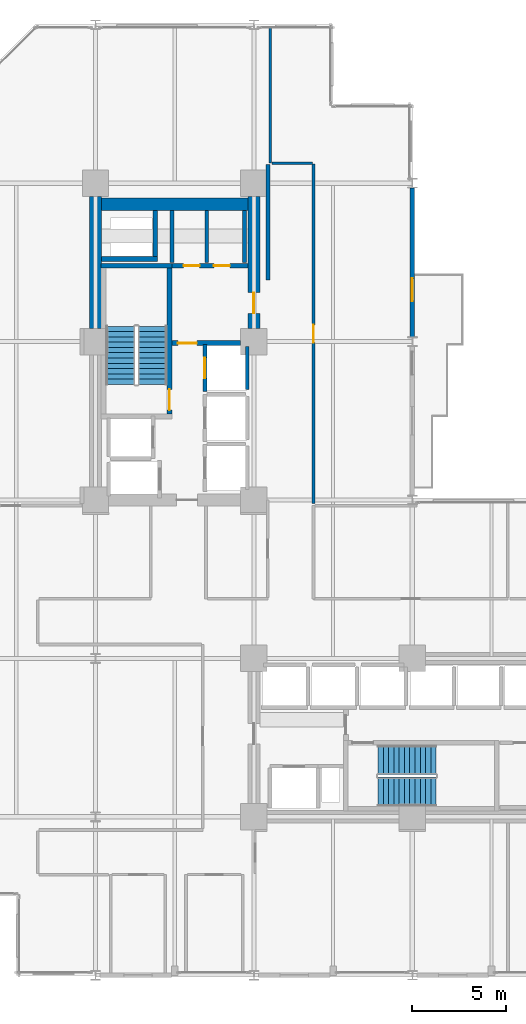
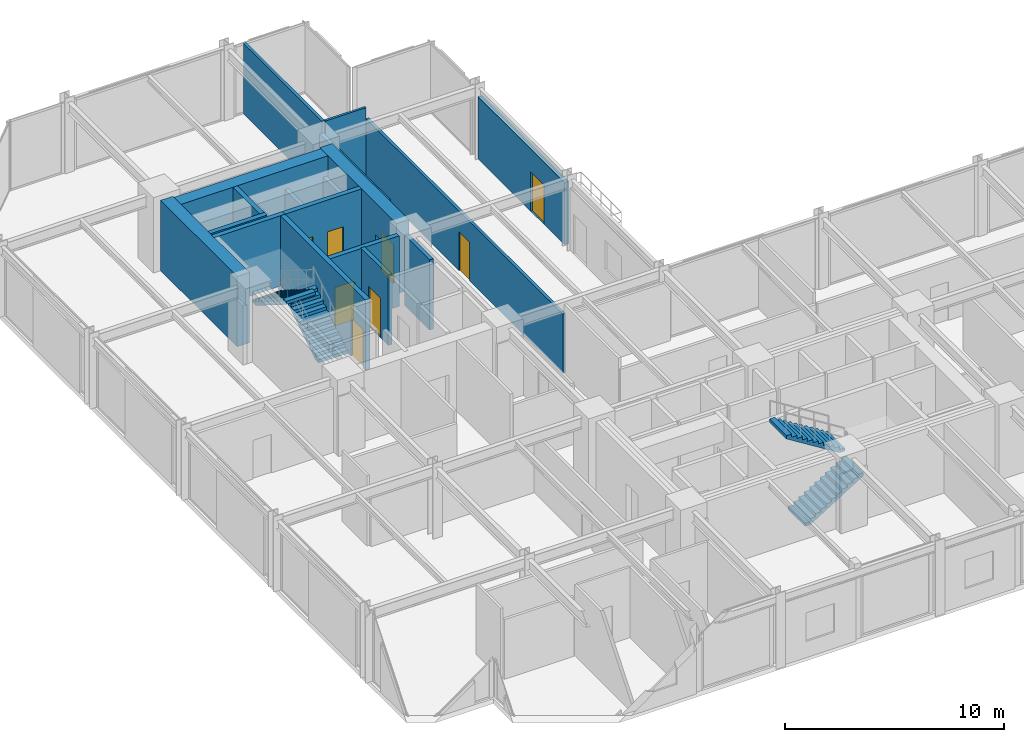
# One storey, part 21 of 24: 19 walls, 8 doors, 4 stair flights, 8 openings, 2 elements without a shape of their own.
"""IFC4 building model written with IfcOpenShell, lengths in metres."""

from ifc_helpers import new_model, si_unit, direction, frame, frame_2d, origin, place, context, subcontext, project, spatial, polyline, rectangle, outline, extrude, material, layer, layer_set, type_object, element, fill, aggregate, save


model = new_model("IFC4")

# Units and contexts
model_context = context("Model", 3, precision=1e-05, world=origin(), true_north=direction((0.0, 1.0)))
body_context = subcontext(model_context, "Body", "Model", "MODEL_VIEW")
ifc_project = project(units=[si_unit("LENGTHUNIT", "METRE"), si_unit("AREAUNIT", "SQUARE_METRE"), si_unit("VOLUMEUNIT", "CUBIC_METRE"), si_unit("PLANEANGLEUNIT", "RADIAN"), si_unit("MASSUNIT", "GRAM", prefix="KILO")], contexts=[model_context])

# Site, building, storey
site_placement = place(None, origin())
site = spatial("IfcSite", under=ifc_project, at=site_placement, CompositionType="ELEMENT")
building_placement = place(site_placement, origin())
building = spatial("IfcBuilding", under=site, at=building_placement, Name="Nerrivon Quay Data Exchange", CompositionType="ELEMENT")
storey_placement = place(building_placement, frame((0.0, 0.0, 37.39990234375)))
storey = spatial("IfcBuildingStorey", under=building, at=storey_placement, Name="L08", CompositionType="ELEMENT", Elevation=37.39990234375)

# Wall, opening, door
ifc_material_1 = material(Name="Architectural terracotta precast concrete N50 (50 MPa)", Category="masonry")
ifc_layer_1 = layer(ifc_material_1, 0.239990234375)
ifc_layer_set_1 = layer_set([ifc_layer_1], Name="Architectural terracotta precast concrete N50 (50 MPa)")
wall_type_1 = type_object("IfcWallType", Name="EW-PREC-240", PredefinedType="STANDARD", material=ifc_layer_set_1)
wall_1_placement = place(storey_placement, frame((25.199951171875, 41.75, 0.0), z_axis=(0.0, 0.0, 1.0), x_axis=(0.0, -1.0, 0.0)))
wall_1 = element("IfcWall", 1, at=wall_1_placement, inside=storey, type_object=wall_type_1, Name="L08 Terrace Host Wall 26", PredefinedType="STANDARD", context=body_context, shape_type="SweptSolid", body=[
    extrude(rectangle(XDim=7.89990234375, YDim=0.239990234375, at=frame_2d((3.949951171875, 0.0))), origin(), (0.0, 0.0, 1.0), 3.47119140625),
])
opening_1_placement = place(wall_1_placement, frame((4.800048828125, 0.0, 0.0)))
opening_1 = element("IfcOpeningElement", 2, at=opening_1_placement, cuts=wall_1, Name="Opening TD1", PredefinedType="OPENING", context=body_context, shape_type="SweptSolid", body=[
    extrude(rectangle(XDim=1.199951171875, YDim=2.199951171875, at=frame_2d((0.60009765625, 1.10009765625))), frame((0.0, 0.1298828125, 0.0), z_axis=(0.0, -1.0, 0.0), x_axis=(1.0, 0.0, 0.0)), (0.0, 0.0, 1.0), 0.260009765625),
])
ifc_material_2 = material(Name="Double-glazed low-E solar control glass", Category="glass")
door_type_1 = type_object("IfcDoorType", Name="DR-TERR-1200x2200", OperationType="NOTDEFINED", PredefinedType="DOOR", material=ifc_material_2)
door_1_placement = place(opening_1_placement, origin())
door_1 = element("IfcDoor", 3, at=door_1_placement, inside=storey, type_object=door_type_1, Name="L08 Outdoor Terrace Access Door 26", OperationType="SINGLE_SWING_LEFT", OverallHeight=2.199951171875, OverallWidth=1.199951171875, PredefinedType="DOOR", context=body_context, shape_type="SweptSolid", body=[
    extrude(rectangle(XDim=1.199951171875, YDim=2.199951171875, at=frame_2d((0.60009765625, 1.10009765625))), frame((0.0, 0.02490234375, 0.0), z_axis=(0.0, -1.0, 0.0), x_axis=(1.0, 0.0, 0.0)), (0.0, 0.0, 1.0), 0.050048828125),
])
fill(opening_1, door_1)

# Walls
ifc_material_3 = material(Name="Concrete N80 (80 MPa)", Category="concrete")
ifc_layer_2 = layer(ifc_material_3, 0.64990234375)
ifc_layer_set_2 = layer_set([ifc_layer_2], Name="Concrete N80 (80 MPa)")
wall_type_2 = type_object("IfcWallType", Name="WALL-CW-850", PredefinedType="SHEAR", material=ifc_layer_set_2)
wall_2_placement = place(storey_placement, frame((8.39990234375, 34.300048828125, 0.0), z_axis=(0.0, 0.0, 1.0), x_axis=(0.0, 1.0, 0.0)))
element("IfcWall", 4, at=wall_2_placement, inside=storey, type_object=wall_type_2, Name="L08 West Split-Core Shear Wall WCW-W2", PredefinedType="SHEAR", context=body_context, shape_type="SweptSolid", body=[
    extrude(rectangle(XDim=7.0, YDim=0.64990234375, at=frame_2d((3.5, 0.0))), origin(), (0.0, 0.0, 1.0), 3.925048828125),
])
wall_3_placement = place(storey_placement, frame((8.72509765625, 40.875, 0.0), z_axis=(0.0, 0.0, 1.0), x_axis=(1.0, 0.0, 0.0)))
element("IfcWall", 5, at=wall_3_placement, inside=storey, type_object=wall_type_2, Name="L08 West Split-Core Shear Wall WCW-N1", PredefinedType="SHEAR", context=body_context, shape_type="SweptSolid", body=[
    extrude(rectangle(XDim=7.75, YDim=0.64990234375, at=frame_2d((3.875, 0.0))), origin(), (0.0, 0.0, 1.0), 3.925048828125),
])

# Wall, opening, door
wall_4_placement = place(storey_placement, frame((16.800048828125, 34.300048828125, 0.0), z_axis=(0.0, 0.0, 1.0), x_axis=(0.0, 1.0, 0.0)))
wall_4 = element("IfcWall", 6, at=wall_4_placement, inside=storey, type_object=wall_type_2, Name="L08 West Split-Core Shear Wall WCW-E1", PredefinedType="SHEAR", context=body_context, shape_type="SweptSolid", body=[
    extrude(rectangle(XDim=7.0, YDim=0.64990234375, at=frame_2d((3.5, 0.0))), origin(), (0.0, 0.0, 1.0), 3.925048828125),
])
opening_2_placement = place(wall_4_placement, frame((0.800048828125, 0.0, 0.0)))
opening_2 = element("IfcOpeningElement", 7, at=opening_2_placement, cuts=wall_4, Name="Opening FD-120", PredefinedType="OPENING", context=body_context, shape_type="SweptSolid", body=[
    extrude(rectangle(XDim=1.10009765625, YDim=2.14990234375, at=frame_2d((0.550048828125, 1.074951171875))), frame((0.0, 0.3349609375, 0.0), z_axis=(0.0, -1.0, 0.0), x_axis=(1.0, 0.0, 0.0)), (0.0, 0.0, 1.0), 0.669921875),
])
ifc_material_4 = material(Name="Powder-coated galvanized steel sheet", Category="steel")
door_type_2 = type_object("IfcDoorType", Name="DR-FD120-1100", OperationType="NOTDEFINED", PredefinedType="DOOR", material=ifc_material_4)
door_2_placement = place(opening_2_placement, origin())
door_2 = element("IfcDoor", 8, at=door_2_placement, inside=storey, type_object=door_type_2, Name="L08 West Core Lobby Fire Door", OperationType="SINGLE_SWING_LEFT", OverallHeight=2.14990234375, OverallWidth=1.10009765625, PredefinedType="DOOR", context=body_context, shape_type="SweptSolid", body=[
    extrude(rectangle(XDim=1.10009765625, YDim=2.14990234375, at=frame_2d((0.550048828125, 1.074951171875))), frame((0.0, 0.02490234375, 0.0), z_axis=(0.0, -1.0, 0.0), x_axis=(1.0, 0.0, 0.0)), (0.0, 0.0, 1.0), 0.050048828125),
])
fill(opening_2, door_2)

ifc_material_5 = material(Name="Gypsum plasterboard on cold-formed framing", Category="gypsum")
ifc_layer_3 = layer(ifc_material_5, 0.199951171875)
ifc_layer_set_3 = layer_set([ifc_layer_3], Name="Gypsum plasterboard on cold-formed framing")
wall_type_3 = type_object("IfcWallType", Name="WALL-FW-200", PredefinedType="PARTITIONING", material=ifc_layer_set_3)
wall_5_placement = place(storey_placement, frame((14.199951171875, 30.949951171875, 0.0), z_axis=(0.0, 0.0, 1.0), x_axis=(0.0, 1.0, 0.0)))
wall_5 = element("IfcWall", 9, at=wall_5_placement, inside=storey, type_object=wall_type_3, Name="L08 Lift Front Wall PL3", PredefinedType="PARTITIONING", context=body_context, shape_type="SweptSolid", body=[
    extrude(rectangle(XDim=2.5, YDim=0.199951171875, at=frame_2d((1.25, 0.0))), origin(), (0.0, 0.0, 1.0), 3.925048828125),
])
opening_3_placement = place(wall_5_placement, frame((0.699951171875, 0.0, 0.0)))
opening_3 = element("IfcOpeningElement", 10, at=opening_3_placement, cuts=wall_5, Name="Opening LD-120", PredefinedType="OPENING", context=body_context, shape_type="SweptSolid", body=[
    extrude(rectangle(XDim=1.10009765625, YDim=2.199951171875, at=frame_2d((0.550048828125, 1.10009765625))), frame((0.0, 0.10986328125, 0.0), z_axis=(0.0, -1.0, 0.0), x_axis=(1.0, 0.0, 0.0)), (0.0, 0.0, 1.0), 0.219970703125),
])
door_type_3 = type_object("IfcDoorType", Name="DR-LIFT-LD120", OperationType="DOUBLE_DOOR_SLIDING", PredefinedType="DOOR", material=ifc_material_4)
door_3_placement = place(opening_3_placement, origin())
door_3 = element("IfcDoor", 11, at=door_3_placement, inside=storey, type_object=door_type_3, Name="L08 Lift Landing Sliding Door PL3", OperationType="DOUBLE_DOOR_SLIDING", OverallHeight=2.199951171875, OverallWidth=1.10009765625, PredefinedType="DOOR", context=body_context, shape_type="SweptSolid", body=[
    extrude(rectangle(XDim=1.10009765625, YDim=2.199951171875, at=frame_2d((0.550048828125, 1.10009765625))), frame((0.0, 0.02490234375, 0.0), z_axis=(0.0, -1.0, 0.0), x_axis=(1.0, 0.0, 0.0)), (0.0, 0.0, 1.0), 0.050048828125),
])
fill(opening_3, door_3)

# Walls
wall_6_placement = place(storey_placement, frame((16.449951171875, 31.050048828125, 0.0), z_axis=(0.0, 0.0, 1.0), x_axis=(0.0, 1.0, 0.0)))
element("IfcWall", 12, at=wall_6_placement, inside=storey, type_object=wall_type_3, Name="L08 Lift Shaft Wall PL3 EAST", PredefinedType="PARTITIONING", context=body_context, shape_type="SweptSolid", body=[
    extrude(rectangle(XDim=2.300048828125, YDim=0.199951171875, at=frame_2d((1.14990234375, 0.0))), origin(), (0.0, 0.0, 1.0), 3.925048828125),
])
for number, where, z_axis, x_axis, name in (
    (13, (14.300048828125, 37.780029296875, 0.0), (0.0, 0.0, 1.0), (0.0, 1.0, 0.0), "L08 Partition Cleaners Store"),
    (14, (12.449951171875, 40.5458984375, 0.0), (0.0, 0.0, 1.0), (0.0, -1.0, 0.0), "L08 Partition Cleaners Store"),
    (15, (16.300048828125, 37.780029296875, 0.0), (0.0, 0.0, 1.0), (0.0, 1.0, 0.0), "L08 Partition Janitor Closet"),
):
    element("IfcWall", number, at=place(storey_placement, frame(where, z_axis=z_axis, x_axis=x_axis)), inside=storey, type_object=wall_type_3, Name=name, PredefinedType="PARTITIONING", context=body_context, shape_type="SweptSolid", body=[
        extrude(rectangle(XDim=2.765869140625, YDim=0.199951171875, at=frame_2d((1.3828125, 0.0))), origin(), (0.0, 0.0, 1.0), 2.8251953125),
    ])
wall_7_placement = place(storey_placement, frame((17.5400390625, 36.860107421875, 0.0), z_axis=(0.0, 0.0, 1.0), x_axis=(0.0, 1.0, 0.0)))
element("IfcWall", 16, at=wall_7_placement, inside=storey, type_object=wall_type_3, Name="L08 Partition Colocation Data Workspace 1", PredefinedType="PARTITIONING", context=body_context, shape_type="SweptSolid", body=[
    extrude(rectangle(XDim=6.139892578125, YDim=0.199951171875, at=frame_2d((3.06982421875, 0.0))), origin(), (0.0, 0.0, 1.0), 3.31298828125),
])
ifc_layer_4 = layer(ifc_material_5, 0.1201171875)
ifc_layer_set_4 = layer_set([ifc_layer_4], Name="Gypsum plasterboard on cold-formed framing")
wall_type_4 = type_object("IfcWallType", Name="WALL-PT-120", PredefinedType="PARTITIONING", material=ifc_layer_set_4)
wall_8_placement = place(storey_placement, frame((17.7490234375, 43.06005859375, 0.0), z_axis=(0.0, 0.0, 1.0), x_axis=(1.0, 0.0, 0.0)))
element("IfcWall", 17, at=wall_8_placement, inside=storey, type_object=wall_type_4, Name="L08 Partition Technical Library", PredefinedType="PARTITIONING", context=body_context, shape_type="SweptSolid", body=[
    extrude(rectangle(XDim=2.15087890625, YDim=0.1201171875, at=frame_2d((1.075439453125, 0.0))), origin(), (0.0, 0.0, 1.0), 3.925048828125),
])

# Wall, opening, door
ifc_layer_5 = layer(ifc_material_5, 0.14990234375)
ifc_layer_set_5 = layer_set([ifc_layer_5], Name="Gypsum plasterboard on cold-formed framing")
wall_type_5 = type_object("IfcWallType", Name="WALL-PT-150", PredefinedType="PARTITIONING", material=ifc_layer_set_5)
wall_9_placement = place(storey_placement, frame((19.959716796875, 43.005859375, 0.0), z_axis=(0.0, 0.0, 1.0), x_axis=(1.3574599e-05, -0.999999999908, 0.0)))
wall_9 = element("IfcWall", 18, at=wall_9_placement, inside=storey, type_object=wall_type_5, Name="L08 Partition Technical Library", PredefinedType="PARTITIONING", context=body_context, shape_type="SweptSolid", body=[
    extrude(rectangle(XDim=17.985107421875, YDim=0.14990234375, at=frame_2d((8.99267578125, 0.0))), origin(), (0.0, 0.0, 1.0), 3.31298828125),
])
opening_4_placement = place(wall_9_placement, frame((8.517578125, 0.0, 0.0)))
opening_4 = element("IfcOpeningElement", 19, at=opening_4_placement, cuts=wall_9, Name="Opening D-01", PredefinedType="OPENING", context=body_context, shape_type="SweptSolid", body=[
    extrude(rectangle(XDim=0.949951171875, YDim=2.14990234375, at=frame_2d((0.47509765625, 1.074951171875))), frame((0.0, 0.0849609375, 0.0), z_axis=(0.0, -1.0, 0.0), x_axis=(1.0, 0.0, 0.0)), (0.0, 0.0, 1.0), 0.169921875),
])
ifc_material_6 = material(Name="Engineered hardwood timber", Category="wood")
door_type_4 = type_object("IfcDoorType", Name="DR-INT-950", OperationType="NOTDEFINED", PredefinedType="DOOR", material=ifc_material_6)
door_4_placement = place(opening_4_placement, origin())
door_4 = element("IfcDoor", 20, at=door_4_placement, inside=storey, type_object=door_type_4, Name="L08 Door Technical Library", OperationType="SINGLE_SWING_LEFT", OverallHeight=2.14990234375, OverallWidth=0.949951171875, PredefinedType="DOOR", context=body_context, shape_type="SweptSolid", body=[
    extrude(rectangle(XDim=0.949951171875, YDim=2.14990234375, at=frame_2d((0.47509765625, 1.074951171875))), frame((0.0, 0.02490234375, 0.0), z_axis=(0.0, -1.0, 0.0), x_axis=(1.0, 0.0, 0.0)), (0.0, 0.0, 1.0), 0.050048828125),
])
fill(opening_4, door_4)

# Walls
wall_10_placement = place(storey_placement, frame((17.669921875, 50.23095703125, 0.0), z_axis=(0.0, 0.0, 1.0), x_axis=(0.0, -1.0, 0.0)))
element("IfcWall", 21, at=wall_10_placement, inside=storey, type_object=wall_type_5, Name="L08 Partition Technical Library", PredefinedType="PARTITIONING", context=body_context, shape_type="SweptSolid", body=[
    extrude(rectangle(XDim=7.1708984375, YDim=0.14990234375, at=frame_2d((3.58544921875, 0.0))), origin(), (0.0, 0.0, 1.0), 3.925048828125),
])
ifc_material_7 = material(Name="Concrete N50 (50 MPa)", Category="concrete")
ifc_layer_6 = layer(ifc_material_7, 0.25)
ifc_layer_set_6 = layer_set([ifc_layer_6], Name="Concrete N50 (50 MPa)")
wall_type_6 = type_object("IfcWallType", Name="WALL-SW-250", PredefinedType="SHEAR", material=ifc_layer_set_6)
wall_11_placement = place(storey_placement, frame((12.449951171875, 37.625, 0.0), z_axis=(0.0, 0.0, 1.0), x_axis=(-1.0, 0.0, 0.0)))
element("IfcWall", 22, at=wall_11_placement, inside=storey, type_object=wall_type_6, Name="L08 ST01 Structural Stair Core Wall FAR", PredefinedType="SHEAR", context=body_context, shape_type="SweptSolid", body=[
    extrude(rectangle(XDim=3.75, YDim=0.25, at=frame_2d((1.875, 0.0))), origin(), (0.0, 0.0, 1.0), 3.925048828125),
])

# Wall, opening, door
wall_12_placement = place(storey_placement, frame((12.324951171875, 29.75, 0.0), z_axis=(0.0, 0.0, 1.0), x_axis=(0.0, 1.0, 0.0)))
wall_12 = element("IfcWall", 23, at=wall_12_placement, inside=storey, type_object=wall_type_6, Name="L08 ST01 Structural Stair Core Wall LEFT", PredefinedType="SHEAR", context=body_context, shape_type="SweptSolid", body=[
    extrude(rectangle(XDim=7.75, YDim=0.25, at=frame_2d((3.875, 0.0))), origin(), (0.0, 0.0, 1.0), 3.925048828125),
])
opening_5_placement = place(wall_12_placement, frame((0.219970703125, 0.0, 0.0)))
opening_5 = element("IfcOpeningElement", 24, at=opening_5_placement, cuts=wall_12, Name="Opening FD-120", PredefinedType="OPENING", context=body_context, shape_type="SweptSolid", body=[
    extrude(rectangle(XDim=1.10009765625, YDim=2.14990234375, at=frame_2d((0.550048828125, 1.074951171875))), frame((0.0, 0.135009765625, 0.0), z_axis=(0.0, -1.0, 0.0), x_axis=(1.0, 0.0, 0.0)), (0.0, 0.0, 1.0), 0.27001953125),
])
door_5_placement = place(opening_5_placement, origin())
door_5 = element("IfcDoor", 25, at=door_5_placement, inside=storey, type_object=door_type_2, Name="L08 Protected Stair Door ST01", OperationType="SINGLE_SWING_LEFT", OverallHeight=2.14990234375, OverallWidth=1.10009765625, PredefinedType="DOOR", context=body_context, shape_type="SweptSolid", body=[
    extrude(rectangle(XDim=1.10009765625, YDim=2.14990234375, at=frame_2d((0.550048828125, 1.074951171875))), frame((0.0, 0.02490234375, 0.0), z_axis=(0.0, -1.0, 0.0), x_axis=(1.0, 0.0, 0.0)), (0.0, 0.0, 1.0), 0.050048828125),
])
fill(opening_5, door_5)

# Walls
wall_13_placement = place(storey_placement, frame((8.72509765625, 37.97509765625, 0.0), z_axis=(0.0, 0.0, 1.0), x_axis=(1.0, 0.0, 0.0)))
element("IfcWall", 26, at=wall_13_placement, inside=storey, type_object=wall_type_6, Name="L08 West Core MEP Riser Shaft Wall S", PredefinedType="SHEAR", context=body_context, shape_type="SweptSolid", body=[
    extrude(rectangle(XDim=2.974853515625, YDim=0.25, at=frame_2d((1.4873046875, 0.0))), origin(), (0.0, 0.0, 1.0), 3.925048828125),
])
wall_14_placement = place(storey_placement, frame((11.574951171875, 38.10009765625, 0.0), z_axis=(0.0, 0.0, 1.0), x_axis=(0.0, 1.0, 0.0)))
element("IfcWall", 27, at=wall_14_placement, inside=storey, type_object=wall_type_6, Name="L08 West Core MEP Riser Shaft Wall E", PredefinedType="SHEAR", context=body_context, shape_type="SweptSolid", body=[
    extrude(rectangle(XDim=2.449951171875, YDim=0.25, at=frame_2d((1.22509765625, 0.0))), origin(), (0.0, 0.0, 1.0), 3.925048828125),
])

# Wall, opening, door
wall_15_placement = place(storey_placement, frame((12.449951171875, 33.52001953125, 0.0), z_axis=(0.0, 0.0, 1.0), x_axis=(1.0, 0.0, 0.0)))
wall_15 = element("IfcWall", 28, at=wall_15_placement, inside=storey, type_object=wall_type_6, Name="L08 West Lobby Smoke-Stop Wall", PredefinedType="SHEAR", context=body_context, shape_type="SweptSolid", body=[
    extrude(rectangle(XDim=3.650146484375, YDim=0.25, at=frame_2d((1.8251953125, 0.0))), origin(), (0.0, 0.0, 1.0), 3.925048828125),
])
opening_6_placement = place(wall_15_placement, frame((0.320068359375, 0.0, 0.0)))
opening_6 = element("IfcOpeningElement", 29, at=opening_6_placement, cuts=wall_15, Name="Opening FD-60", PredefinedType="OPENING", context=body_context, shape_type="SweptSolid", body=[
    extrude(rectangle(XDim=1.0, YDim=2.14990234375, at=frame_2d((0.5, 1.074951171875))), frame((0.0, 0.135009765625, 0.0), z_axis=(0.0, -1.0, 0.0), x_axis=(1.0, 0.0, 0.0)), (0.0, 0.0, 1.0), 0.27001953125),
])
door_type_5 = type_object("IfcDoorType", Name="DR-FD60-1000", OperationType="NOTDEFINED", PredefinedType="DOOR", material=ifc_material_6)
door_6_placement = place(opening_6_placement, origin())
door_6 = element("IfcDoor", 30, at=door_6_placement, inside=storey, type_object=door_type_5, Name="L08 West Firefighting Lobby Fire Door", OperationType="SINGLE_SWING_LEFT", OverallHeight=2.14990234375, OverallWidth=1.0, PredefinedType="DOOR", context=body_context, shape_type="SweptSolid", body=[
    extrude(rectangle(XDim=1.0, YDim=2.14990234375, at=frame_2d((0.5, 1.074951171875))), frame((0.0, 0.02490234375, 0.0), z_axis=(0.0, -1.0, 0.0), x_axis=(1.0, 0.0, 0.0)), (0.0, 0.0, 1.0), 0.050048828125),
])
fill(opening_6, door_6)

# Wall, openings, doors
wall_16_placement = place(storey_placement, frame((12.449951171875, 37.625, 0.0), z_axis=(0.0, 0.0, 1.0), x_axis=(1.0, 0.0, 0.0)))
wall_16 = element("IfcWall", 31, at=wall_16_placement, inside=storey, type_object=wall_type_6, Name="L08 West Firefighting Lobby Wall", PredefinedType="SHEAR", context=body_context, shape_type="SweptSolid", body=[
    extrude(rectangle(XDim=4.025146484375, YDim=0.25, at=frame_2d((2.0126953125, 0.0))), origin(), (0.0, 0.0, 1.0), 3.925048828125),
])
opening_7_placement = place(wall_16_placement, frame((0.62158203125, 0.0, 0.0)))
opening_7 = element("IfcOpeningElement", 32, at=opening_7_placement, cuts=wall_16, Name="Opening FD-60S", PredefinedType="OPENING", context=body_context, shape_type="SweptSolid", body=[
    extrude(rectangle(XDim=0.85009765625, YDim=2.14990234375, at=frame_2d((0.425048828125, 1.074951171875))), frame((0.0, 0.135009765625, 0.0), z_axis=(0.0, -1.0, 0.0), x_axis=(1.0, 0.0, 0.0)), (0.0, 0.0, 1.0), 0.27001953125),
])
opening_8_placement = place(wall_16_placement, frame((2.2314453125, 0.0, 0.0)))
opening_8 = element("IfcOpeningElement", 33, at=opening_8_placement, cuts=wall_16, Name="Opening FD-60S", PredefinedType="OPENING", context=body_context, shape_type="SweptSolid", body=[
    extrude(rectangle(XDim=0.85009765625, YDim=2.14990234375, at=frame_2d((0.425048828125, 1.074951171875))), frame((0.0, 0.135009765625, 0.0), z_axis=(0.0, -1.0, 0.0), x_axis=(1.0, 0.0, 0.0)), (0.0, 0.0, 1.0), 0.27001953125),
])
door_type_6 = type_object("IfcDoorType", Name="DR-FD60-850", OperationType="NOTDEFINED", PredefinedType="DOOR", material=ifc_material_6)
door_7_placement = place(opening_7_placement, origin())
door_7 = element("IfcDoor", 34, at=door_7_placement, inside=storey, type_object=door_type_6, Name="L08 Door Cleaners Store", OperationType="SINGLE_SWING_LEFT", OverallHeight=2.14990234375, OverallWidth=0.85009765625, PredefinedType="DOOR", context=body_context, shape_type="SweptSolid", body=[
    extrude(rectangle(XDim=0.85009765625, YDim=2.14990234375, at=frame_2d((0.425048828125, 1.074951171875))), frame((0.0, 0.02490234375, 0.0), z_axis=(0.0, -1.0, 0.0), x_axis=(1.0, 0.0, 0.0)), (0.0, 0.0, 1.0), 0.050048828125),
])
fill(opening_7, door_7)
door_8_placement = place(opening_8_placement, origin())
door_8 = element("IfcDoor", 35, at=door_8_placement, inside=storey, type_object=door_type_6, Name="L08 Door Janitor Closet", OperationType="SINGLE_SWING_RIGHT", OverallHeight=2.14990234375, OverallWidth=0.85009765625, PredefinedType="DOOR", context=body_context, shape_type="SweptSolid", body=[
    extrude(rectangle(XDim=0.85009765625, YDim=2.14990234375, at=frame_2d((0.425048828125, 1.074951171875))), frame((0.0, 0.02490234375, 0.0), z_axis=(0.0, -1.0, 0.0), x_axis=(1.0, 0.0, 0.0)), (0.0, 0.0, 1.0), 0.050048828125),
])
fill(opening_8, door_8)

# Stair, stair flights
stair_type = type_object("IfcStairType", Name="STAIR-DOG-42", PredefinedType="HALF_TURN_STAIR", material=ifc_material_7)
stair_1_placement = place(storey_placement, origin())
stair_1 = element("IfcStair", 36, at=stair_1_placement, inside=storey, type_object=stair_type, Name="L08 West Core Fire Stair ST01", PredefinedType="HALF_TURN_STAIR")
stair_flight_type = type_object("IfcStairFlightType", Name="FLIGHT-DOG-42", PredefinedType="STRAIGHT", material=ifc_material_7)
stair_flight_1_placement = place(storey_placement, frame((11.425048828125, 31.330078125, 0.0), z_axis=(0.0, 0.0, 1.0), x_axis=(0.0, 1.0, 0.0)))
stair_flight_1 = element("IfcStairFlight", 37, at=stair_flight_1_placement, type_object=stair_flight_type, Name="ST01 flight 1", NumberOfRisers=12, NumberOfTreads=11, PredefinedType="STRAIGHT", RiserHeight=0.175, TreadLength=0.28, context=body_context, shape_type="SweptSolid", body=[
    extrude(outline(polyline([(0.0, 0.0), (0.0, 0.175048828125), (0.280029296875, 0.175048828125), (0.280029296875, 0.35009765625), (0.56005859375, 0.35009765625), (0.56005859375, 0.52490234375), (0.840087890625, 0.52490234375), (0.840087890625, 0.699951171875), (1.1201171875, 0.699951171875), (1.1201171875, 0.875), (1.39990234375, 0.875), (1.39990234375, 1.050048828125), (1.679931640625, 1.050048828125), (1.679931640625, 1.22509765625), (1.9599609375, 1.22509765625), (1.9599609375, 1.39990234375), (2.239990234375, 1.39990234375), (2.239990234375, 1.574951171875), (2.52001953125, 1.574951171875), (2.52001953125, 1.75), (2.800048828125, 1.75), (2.800048828125, 1.925048828125), (3.080078125, 1.925048828125), (3.080078125, 2.10009765625), (3.080078125, 1.748291015625), (0.28271484375, 0.0), (0.0, 0.0)])), frame((0.0, 0.77490234375, 0.0), z_axis=(0.0, -1.0, 0.0), x_axis=(1.0, 0.0, 0.0)), (0.0, 0.0, 1.0), 1.550048828125),
])
stair_flight_2_placement = place(storey_placement, frame((9.72509765625, 34.409912109375, 2.10009765625), z_axis=(0.0, 0.0, 1.0), x_axis=(0.0, -1.0, 0.0)))
stair_flight_2 = element("IfcStairFlight", 38, at=stair_flight_2_placement, type_object=stair_flight_type, Name="ST01 flight 2", NumberOfRisers=12, NumberOfTreads=11, PredefinedType="STRAIGHT", RiserHeight=0.175, TreadLength=0.28, context=body_context, shape_type="SweptSolid", body=[
    extrude(outline(polyline([(0.0, 0.0), (0.0, 0.175048828125), (0.280029296875, 0.175048828125), (0.280029296875, 0.35009765625), (0.56005859375, 0.35009765625), (0.56005859375, 0.52490234375), (0.840087890625, 0.52490234375), (0.840087890625, 0.699951171875), (1.1201171875, 0.699951171875), (1.1201171875, 0.875), (1.39990234375, 0.875), (1.39990234375, 1.050048828125), (1.679931640625, 1.050048828125), (1.679931640625, 1.22509765625), (1.9599609375, 1.22509765625), (1.9599609375, 1.39990234375), (2.239990234375, 1.39990234375), (2.239990234375, 1.574951171875), (2.52001953125, 1.574951171875), (2.52001953125, 1.75), (2.800048828125, 1.75), (2.800048828125, 1.925048828125), (3.080078125, 1.925048828125), (3.080078125, 2.10009765625), (3.080078125, 1.748291015625), (0.28271484375, 0.0), (0.0, 0.0)])), frame((0.0, 0.77490234375, 0.0), z_axis=(0.0, -1.0, 0.0), x_axis=(1.0, 0.0, 0.0)), (0.0, 0.0, 1.0), 1.550048828125),
])
aggregate(stair_1, [stair_flight_1, stair_flight_2])

stair_2_placement = place(storey_placement, origin())
stair_2 = element("IfcStair", 39, at=stair_2_placement, inside=storey, type_object=stair_type, Name="L08 East Core Fire Stair ST02", PredefinedType="HALF_TURN_STAIR")
stair_flight_3_placement = place(storey_placement, frame((23.3798828125, 9.72509765625, 0.0), z_axis=(0.0, 0.0, 1.0), x_axis=(1.0, 0.0, 0.0)))
stair_flight_3 = element("IfcStairFlight", 40, at=stair_flight_3_placement, type_object=stair_flight_type, Name="ST02 flight 1", NumberOfRisers=12, NumberOfTreads=11, PredefinedType="STRAIGHT", RiserHeight=0.175, TreadLength=0.28, context=body_context, shape_type="SweptSolid", body=[
    extrude(outline(polyline([(0.0, 0.0), (0.0, 0.175048828125), (0.280029296875, 0.175048828125), (0.280029296875, 0.35009765625), (0.56005859375, 0.35009765625), (0.56005859375, 0.52490234375), (0.840087890625, 0.52490234375), (0.840087890625, 0.699951171875), (1.1201171875, 0.699951171875), (1.1201171875, 0.875), (1.39990234375, 0.875), (1.39990234375, 1.050048828125), (1.679931640625, 1.050048828125), (1.679931640625, 1.22509765625), (1.9599609375, 1.22509765625), (1.9599609375, 1.39990234375), (2.239990234375, 1.39990234375), (2.239990234375, 1.574951171875), (2.52001953125, 1.574951171875), (2.52001953125, 1.75), (2.800048828125, 1.75), (2.800048828125, 1.925048828125), (3.080078125, 1.925048828125), (3.080078125, 2.10009765625), (3.080078125, 1.748291015625), (0.28271484375, 0.0), (0.0, 0.0)])), frame((0.0, 0.77490234375, 0.0), z_axis=(0.0, -1.0, 0.0), x_axis=(1.0, 0.0, 0.0)), (0.0, 0.0, 1.0), 1.550048828125),
])
stair_flight_4_placement = place(storey_placement, frame((26.4599609375, 11.425048828125, 2.10009765625), z_axis=(0.0, 0.0, 1.0), x_axis=(-1.0, 0.0, 0.0)))
stair_flight_4 = element("IfcStairFlight", 41, at=stair_flight_4_placement, type_object=stair_flight_type, Name="ST02 flight 2", NumberOfRisers=12, NumberOfTreads=11, PredefinedType="STRAIGHT", RiserHeight=0.175, TreadLength=0.28, context=body_context, shape_type="SweptSolid", body=[
    extrude(outline(polyline([(0.0, 0.0), (0.0, 0.175048828125), (0.280029296875, 0.175048828125), (0.280029296875, 0.35009765625), (0.56005859375, 0.35009765625), (0.56005859375, 0.52490234375), (0.840087890625, 0.52490234375), (0.840087890625, 0.699951171875), (1.1201171875, 0.699951171875), (1.1201171875, 0.875), (1.39990234375, 0.875), (1.39990234375, 1.050048828125), (1.679931640625, 1.050048828125), (1.679931640625, 1.22509765625), (1.9599609375, 1.22509765625), (1.9599609375, 1.39990234375), (2.239990234375, 1.39990234375), (2.239990234375, 1.574951171875), (2.52001953125, 1.574951171875), (2.52001953125, 1.75), (2.800048828125, 1.75), (2.800048828125, 1.925048828125), (3.080078125, 1.925048828125), (3.080078125, 2.10009765625), (3.080078125, 1.748291015625), (0.28271484375, 0.0), (0.0, 0.0)])), frame((0.0, 0.77490234375, 0.0), z_axis=(0.0, -1.0, 0.0), x_axis=(1.0, 0.0, 0.0)), (0.0, 0.0, 1.0), 1.550048828125),
])
aggregate(stair_2, [stair_flight_3, stair_flight_4])

save(model, "model.ifc")
